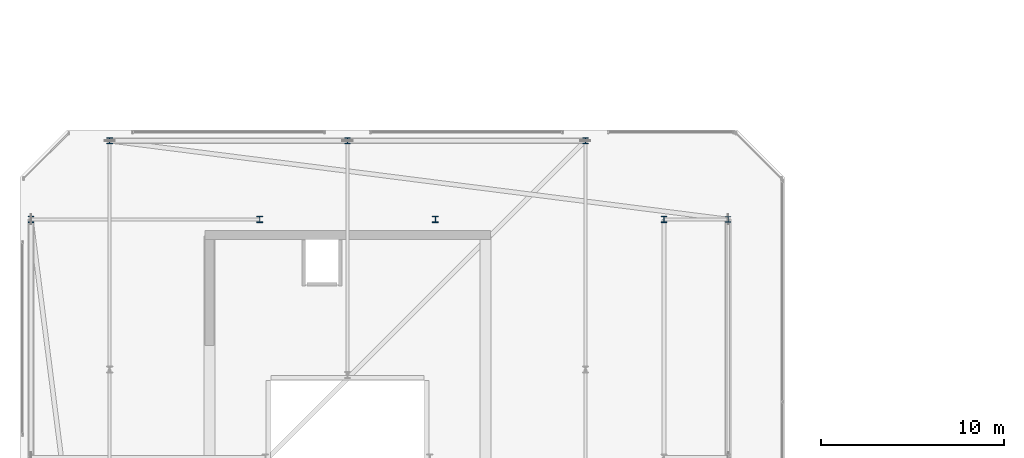
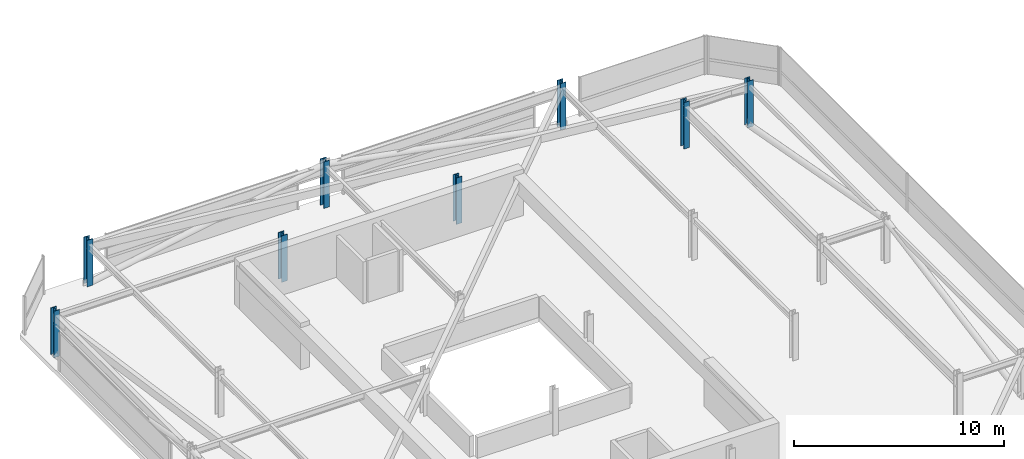
# One storey, part 3 of 42: 8 columns.
"""IFC4 building model written with IfcOpenShell, lengths in metres."""

import ifcopenshell
import ifcopenshell.guid

model = None  # the IFC model being written
_history = None  # IfcOwnerHistory: only IFC2X3 demands one
_inside = {}  # id of a spatial element -> (the spatial element, [elements in it])
_under = {}  # id of a project, library or spatial element -> (it, [spatial elements below it])
_declared = {}  # id of a project -> (the project, [libraries it declares])
_typed = {}  # id of a type object -> (the type object, [elements of that type])
_made_of = {}  # id of a material, layer set ... -> (it, [elements and type objects made of it])


def new_model(schema):
    """Start an empty IFC model of exactly this schema.

    Asked for "IFC4X3", IfcOpenShell would pick the latest addendum, in which some entities
    have other attributes; the version numbers below select the first issue.
    IFC2X3 requires an IfcOwnerHistory on every rooted entity: one is made here for all.
    """
    global model, _history
    if schema == "IFC4X3":
        model = ifcopenshell.file(schema_version=(4, 3, 0, 0))
    else:
        model = ifcopenshell.file(schema=schema)
    _inside.clear()
    _under.clear()
    _declared.clear()
    _typed.clear()
    _made_of.clear()
    _history = None
    if model.schema == "IFC2X3":
        org = make("IfcOrganization", Name="unknown")
        user = make(
            "IfcPersonAndOrganization",
            ThePerson=make("IfcPerson", FamilyName="unknown"),
            TheOrganization=org,
        )
        app = make(
            "IfcApplication",
            ApplicationDeveloper=org,
            Version="unknown",
            ApplicationFullName="unknown",
            ApplicationIdentifier="unknown",
        )
        _history = make(
            "IfcOwnerHistory",
            OwningUser=user,
            OwningApplication=app,
            ChangeAction="ADDED",
            CreationDate=0,
        )
    return model


def make(cls, **values):
    """One entity of the class cls with the attributes given. An attribute that is None is left unset."""
    return model.create_entity(
        cls, **{name: value for name, value in values.items() if value is not None}
    )


def rooted(cls, **values):
    """An entity with a GlobalId (a new one), such as an element, a storey or a relation."""
    return make(cls, GlobalId=ifcopenshell.guid.new(), OwnerHistory=_history, **values)


def si_unit(unit_type, name, prefix=None):
    """IfcSIUnit, for example si_unit("LENGTHUNIT", "METRE", prefix="MILLI")."""
    return make("IfcSIUnit", UnitType=unit_type, Prefix=prefix, Name=name)


def assignment(units):
    """IfcUnitAssignment: the units of a project."""
    return None if units is None else make("IfcUnitAssignment", Units=units)


def point(xyz):
    """IfcCartesianPoint."""
    return None if xyz is None else make("IfcCartesianPoint", Coordinates=xyz)


def direction(xyz):
    """IfcDirection."""
    return None if xyz is None else make("IfcDirection", DirectionRatios=xyz)


def frame(location, z_axis=None, x_axis=None):
    """IfcAxis2Placement3D, a coordinate frame: its origin and axes. An axis left out is left unset."""
    return make(
        "IfcAxis2Placement3D",
        Location=point(location),
        Axis=direction(z_axis),
        RefDirection=direction(x_axis),
    )


def frame_2d(location, x_axis=None):
    """IfcAxis2Placement2D, a coordinate frame in the plane: its origin and x axis."""
    return make(
        "IfcAxis2Placement2D", Location=point(location), RefDirection=direction(x_axis)
    )


def origin():
    """The frame at (0, 0, 0) with its axes left unset."""
    return frame((0.0, 0.0, 0.0))


def origin_2d():
    """The frame at (0, 0) in the plane with its x axis left unset."""
    return frame_2d((0.0, 0.0))


def place(relative_to, where):
    """IfcLocalPlacement: puts the frame where relative to a parent placement (None: the world)."""
    return make(
        "IfcLocalPlacement", PlacementRelTo=relative_to, RelativePlacement=where
    )


def context(
    kind, dimensions, precision=None, world=None, true_north=None, identifier=None
):
    """IfcGeometricRepresentationContext, for example the 3D "Model" context."""
    return make(
        "IfcGeometricRepresentationContext",
        ContextIdentifier=identifier,
        ContextType=kind,
        CoordinateSpaceDimension=dimensions,
        Precision=precision,
        WorldCoordinateSystem=world,
        TrueNorth=true_north,
    )


def subcontext(parent, identifier, kind, view, scale=None):
    """IfcGeometricRepresentationSubContext, for example "Body" below "Model"."""
    return make(
        "IfcGeometricRepresentationSubContext",
        ContextIdentifier=identifier,
        ContextType=kind,
        ParentContext=parent,
        TargetScale=scale,
        TargetView=view,
    )


def project(units=None, contexts=None):
    """IfcProject with its units and contexts."""
    return rooted(
        "IfcProject",
        Name="project",
        RepresentationContexts=contexts,
        UnitsInContext=assignment(units),
    )


def spatial(cls, under=None, at=None, **own):
    """A site, building, storey or space (cls), placed at a placement, below another one or the project."""
    s = rooted(cls, ObjectPlacement=at, **own)
    if under is not None:
        _under.setdefault(under.id(), (under, []))[1].append(s)
    return s


def profile(cls, at=None, kind="AREA", **sizes):
    """A parametric profile (cls). Its sizes go by their IFC names, for example OverallWidth=200.0."""
    return make(cls, ProfileType=kind, Position=at, **sizes)


def i_section(**sizes):
    """IfcIShapeProfileDef."""
    return profile("IfcIShapeProfileDef", **sizes)


def extrude(swept, where, along, depth):
    """IfcExtrudedAreaSolid: the profile swept, set in the frame where, extruded along a direction by depth."""
    return make(
        "IfcExtrudedAreaSolid",
        SweptArea=swept,
        Position=where,
        ExtrudedDirection=direction(along),
        Depth=depth,
    )


def shape(context_of_items, identifier, shape_type, items):
    """IfcShapeRepresentation: the items that make up one representation, for example the "Body"."""
    return make(
        "IfcShapeRepresentation",
        ContextOfItems=context_of_items,
        RepresentationIdentifier=identifier,
        RepresentationType=shape_type,
        Items=items,
    )


def material(Name=None, Category=None):
    """IfcMaterial."""
    return make("IfcMaterial", Name=Name, Category=Category)


def material_profile(
    of_material, cross_section, Name=None, Category=None, Priority=None
):
    """IfcMaterialProfile: a cross section and its material."""
    return make(
        "IfcMaterialProfile",
        Name=Name,
        Material=of_material,
        Profile=cross_section,
        Priority=Priority,
        Category=Category,
    )


def profile_set(profiles, Name=None, composite=None):
    """IfcMaterialProfileSet."""
    return make(
        "IfcMaterialProfileSet",
        Name=Name,
        MaterialProfiles=profiles,
        CompositeProfile=composite,
    )


def made_of(thing, what):
    """Note that an element or type object is made of a material, layer set ...; save() writes the relation."""
    if what is not None:
        _made_of.setdefault(what.id(), (what, []))[1].append(thing)
    return thing


def type_object(cls, material=None, **own):
    """A type object (cls), such as IfcWallType, which elements share."""
    return made_of(rooted(cls, **own), material)


def element(
    cls,
    number,
    at=None,
    inside=None,
    cuts=None,
    type_object=None,
    material=None,
    context=None,
    identifier="Body",
    shape_type=None,
    held_by="IfcProductDefinitionShape",
    body=None,
    shapes=None,
    **own,
):
    """One element of the class cls, such as IfcWall. Its Tag is "e" and its number.

    at: its placement. inside: the storey or other place that contains it. cuts: it is an
    opening in that element (IfcRelVoidsElement). A single representation is given by context,
    identifier, shape_type and body (its items); several are given by shapes. held_by: the class
    of the entity that holds the representations. save() writes the other relations.
    """
    e = rooted(cls, Tag="e%d" % number, ObjectPlacement=at, **own)
    if body is not None:
        shapes = [shape(context, identifier, shape_type, body)]
    if shapes is not None:
        e.Representation = make(held_by, Representations=shapes)
    if inside is not None:
        _inside.setdefault(inside.id(), (inside, []))[1].append(e)
    if cuts is not None:
        rooted(
            "IfcRelVoidsElement", RelatingBuildingElement=cuts, RelatedOpeningElement=e
        )
    if type_object is not None:
        _typed.setdefault(type_object.id(), (type_object, []))[1].append(e)
    return made_of(e, material)


def aggregate(whole, parts):
    """IfcRelAggregates: a whole, such as a stair, and the parts it consists of."""
    return rooted("IfcRelAggregates", RelatingObject=whole, RelatedObjects=parts)


def save(model, path):
    """Write the relations noted so far, then the file.

    IfcRelAggregates (storeys below a building ...), IfcRelContainedInSpatialStructure (elements
    in a storey), IfcRelDefinesByType, IfcRelAssociatesMaterial and IfcRelDeclares: one each for
    every whole, place, type object, material and project.
    """
    for whole, parts in _under.values():
        aggregate(whole, parts)
    for where, things in _inside.values():
        rooted(
            "IfcRelContainedInSpatialStructure",
            RelatedElements=things,
            RelatingStructure=where,
        )
    for kind, things in _typed.values():
        rooted("IfcRelDefinesByType", RelatedObjects=things, RelatingType=kind)
    for what, things in _made_of.values():
        rooted("IfcRelAssociatesMaterial", RelatedObjects=things, RelatingMaterial=what)
    for by, libraries in _declared.values():
        rooted("IfcRelDeclares", RelatingContext=by, RelatedDefinitions=libraries)
    model.write(path)


model = new_model("IFC4")

# Units and contexts
model_context = context("Model", 3, precision=1e-05, world=origin(), true_north=direction((0.0, 1.0)))
body_context = subcontext(model_context, "Body", "Model", "MODEL_VIEW")
ifc_project = project(units=[si_unit("LENGTHUNIT", "METRE"), si_unit("AREAUNIT", "SQUARE_METRE"), si_unit("VOLUMEUNIT", "CUBIC_METRE"), si_unit("PLANEANGLEUNIT", "RADIAN"), si_unit("MASSUNIT", "GRAM", prefix="KILO")], contexts=[model_context])

# Site, building, storey
site_placement = place(None, origin())
site = spatial("IfcSite", under=ifc_project, at=site_placement, CompositionType="ELEMENT")
building_placement = place(site_placement, origin())
building = spatial("IfcBuilding", under=site, at=building_placement, Name="Thornwick Lancets Civic Towers", CompositionType="ELEMENT")
storey_placement = place(building_placement, frame((0.0, 0.0, 284.10009765625)))
storey = spatial("IfcBuildingStorey", under=building, at=storey_placement, Name="C02", CompositionType="ELEMENT", Elevation=284.10009765625)

# Columns
ifc_material = material(Name="Steel S355JR", Category="steel")
ifc_material_profile_1 = material_profile(ifc_material, i_section(OverallWidth=0.30908203125, OverallDepth=0.320556640625, WebThickness=0.013916015625, FlangeThickness=0.021728515625, FilletRadius=0.01513671875, at=origin_2d()), Name="UKC 305x305x137")
ifc_profile_set_1 = profile_set([ifc_material_profile_1], Name="Steel S355JR")
column_type_1 = type_object("IfcColumnType", Name="COL_UKC_137", PredefinedType="COLUMN", material=ifc_profile_set_1)
column_placement = place(storey_placement, frame((46.300048828125, 40.0, 0.0), z_axis=(0.0, 0.0, 1.0), x_axis=(1.0, 0.0, 0.0)))
element("IfcColumn", 1, at=column_placement, inside=storey, type_object=column_type_1, Name="C02 Block Perimeter Column A06", PredefinedType="COLUMN", context=body_context, shape_type="SweptSolid", body=[
    extrude(i_section(OverallWidth=0.30908203125, OverallDepth=0.320556640625, WebThickness=0.013916015625, FlangeThickness=0.021728515625, FilletRadius=0.01513671875, at=origin_2d()), origin(), (0.0, 0.0, 1.0), 2.699951171875),
])
ifc_material_profile_2 = material_profile(ifc_material, i_section(OverallWidth=0.314453125, OverallDepth=0.33984375, WebThickness=0.01904296875, FlangeThickness=0.031494140625, FilletRadius=0.01513671875, at=origin_2d()), Name="UKC 305x305x198")
ifc_profile_set_2 = profile_set([ifc_material_profile_2], Name="Steel S355JR")
column_type_2 = type_object("IfcColumnType", Name="COL_UKC_198", PredefinedType="COLUMN", material=ifc_profile_set_2)
for number, where, z_axis, x_axis, name in (
    (2, (42.800048828125, 40.0, 0.0), (0.0, 0.0, 1.0), (1.0, 0.0, 0.0), "C02 Spine Mega-Column A06"),
    (3, (12.5, 44.300048828125, 0.0), (0.0, 0.0, 1.0), (1.0, 0.0, 0.0), "C02 Spine Mega-Column A07"),
    (4, (25.5, 44.300048828125, 0.0), (0.0, 0.0, 1.0), (1.0, 0.0, 0.0), "C02 Spine Mega-Column A08"),
    (5, (38.5, 44.300048828125, 0.0), (0.0, 0.0, 1.0), (1.0, 0.0, 0.0), "C02 Spine Mega-Column A09"),
    (6, (8.199951171875, 40.0, 0.0), (0.0, 0.0, 1.0), (1.0, 0.0, 0.0), "C02 Spine Mega-Column A12"),
    (7, (20.699951171875, 40.0, 0.0), (0.0, 0.0, 1.0), (1.0, 0.0, 0.0), "C02 Spine Mega-Column A19"),
    (8, (30.300048828125, 40.0, 0.0), (0.0, 0.0, 1.0), (1.0, 0.0, 0.0), "C02 Spine Mega-Column A20"),
):
    element("IfcColumn", number, at=place(storey_placement, frame(where, z_axis=z_axis, x_axis=x_axis)), inside=storey, type_object=column_type_2, Name=name, PredefinedType="COLUMN", context=body_context, shape_type="SweptSolid", body=[
        extrude(i_section(OverallWidth=0.314453125, OverallDepth=0.33984375, WebThickness=0.01904296875, FlangeThickness=0.031494140625, FilletRadius=0.01513671875, at=origin_2d()), origin(), (0.0, 0.0, 1.0), 2.699951171875),
    ])

save(model, "model.ifc")
